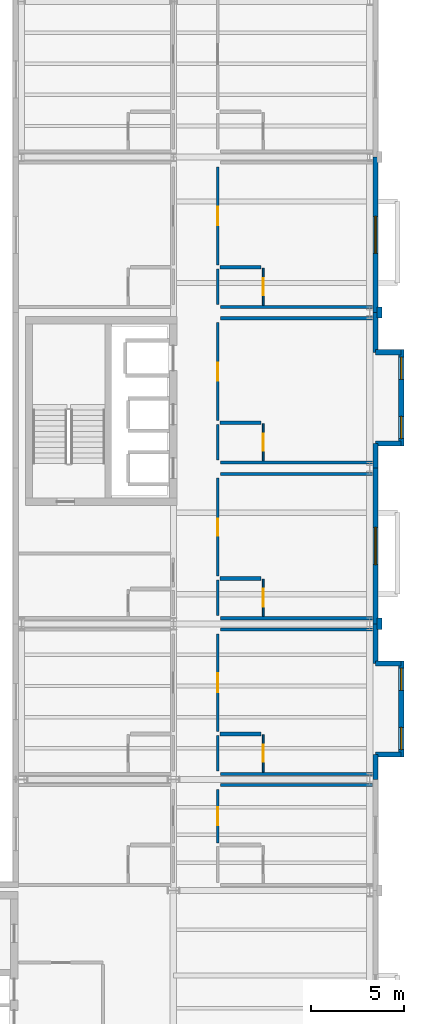
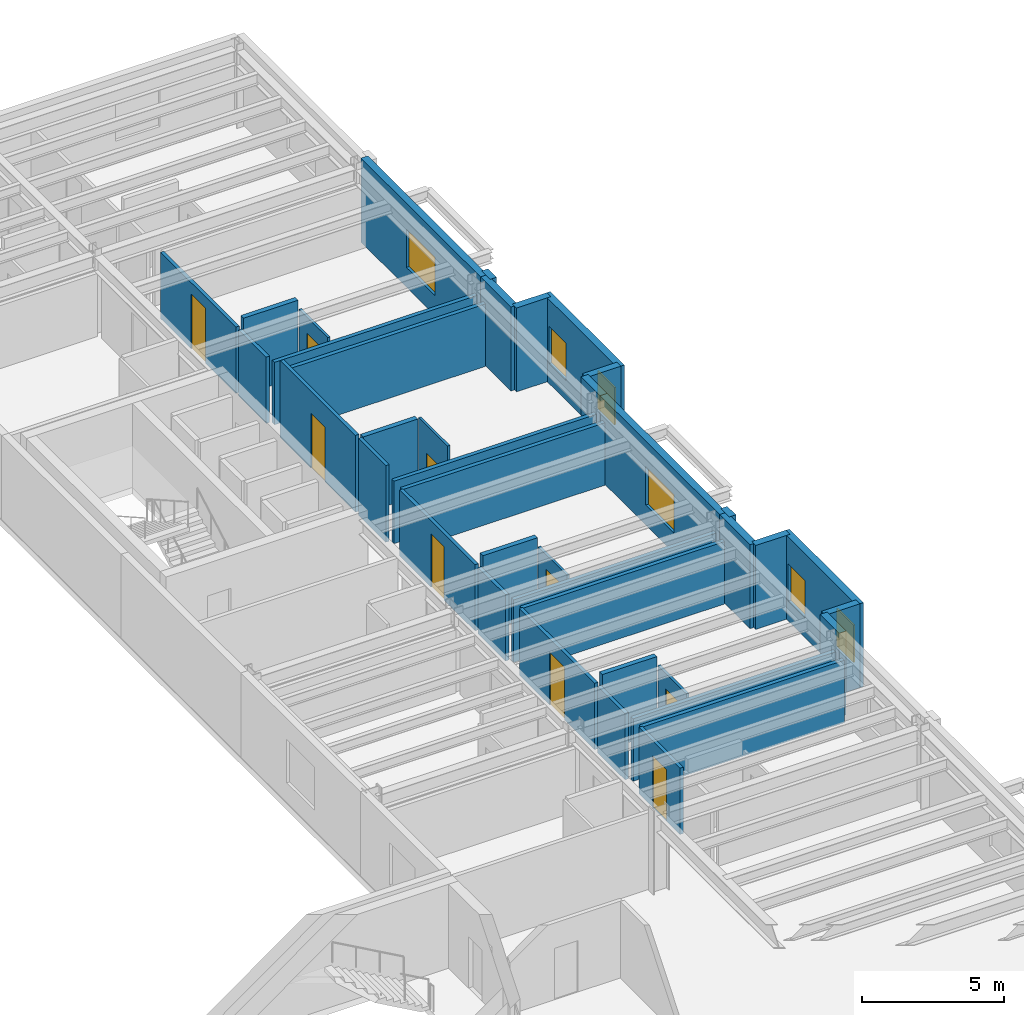
# One storey, part 21 of 27: 39 walls, 9 doors, 6 windows, 15 openings.
"""IFC4 building model written with IfcOpenShell, lengths in metres."""

from ifc_helpers import new_model, si_unit, direction, frame, frame_2d, origin, place, context, subcontext, project, spatial, rectangle, extrude, material, layer, layer_set, type_object, element, fill, save


model = new_model("IFC4")

# Units and contexts
model_context = context("Model", 3, precision=1e-05, world=origin(), true_north=direction((0.0, 1.0)))
body_context = subcontext(model_context, "Body", "Model", "MODEL_VIEW")
ifc_project = project(units=[si_unit("LENGTHUNIT", "METRE"), si_unit("AREAUNIT", "SQUARE_METRE"), si_unit("VOLUMEUNIT", "CUBIC_METRE"), si_unit("PLANEANGLEUNIT", "RADIAN"), si_unit("MASSUNIT", "GRAM", prefix="KILO")], contexts=[model_context])

# Site, building, storey
site_placement = place(None, origin())
site = spatial("IfcSite", under=ifc_project, at=site_placement, CompositionType="ELEMENT")
building_placement = place(site_placement, origin())
building = spatial("IfcBuilding", under=site, at=building_placement, Name="Sollismere Congress Hotel", CompositionType="ELEMENT")
storey_placement = place(building_placement, frame((0.0, 0.0, 27.0)))
storey = spatial("IfcBuildingStorey", under=building, at=storey_placement, Name="L06", CompositionType="ELEMENT", Elevation=27.0)

# Walls
ifc_material_1 = material(Name="Colorado Buff Sandstone Rainscreen on Insulated Backup", Category="masonry")
ifc_layer_1 = layer(ifc_material_1, 0.284912109375, Name="Colorado Buff Sandstone Rainscreen on Insulated Backup")
ifc_layer_set_1 = layer_set([ifc_layer_1], Name="Colorado Buff Sandstone Rainscreen on Insulated Backup")
wall_type_1 = type_object("IfcWallType", Name="WL-EXT285", PredefinedType="STANDARD", material=ifc_layer_set_1)
wall_1_placement = place(storey_placement, frame((166.31005859375, 24.800048828125, 0.0), z_axis=(0.0, 0.0, 1.0), x_axis=(0.0, 1.0, 0.0)))
element("IfcWall", 1, at=wall_1_placement, inside=storey, type_object=wall_type_1, Name="Exterior wall EW-L06-700", PredefinedType="STANDARD", context=body_context, shape_type="SweptSolid", body=[
    extrude(rectangle(XDim=1.33984375, YDim=0.284912109375, at=frame_2d((0.669921875, 0.0))), origin(), (0.0, 0.0, 1.0), 3.60009765625),
])
wall_2_placement = place(storey_placement, frame((166.31005859375, 31.06005859375, 0.0), z_axis=(0.0, 0.0, 1.0), x_axis=(0.0, 1.0, 0.0)))
element("IfcWall", 2, at=wall_2_placement, inside=storey, type_object=wall_type_1, Name="Exterior wall EW-L06-701", PredefinedType="STANDARD", context=body_context, shape_type="SweptSolid", body=[
    extrude(rectangle(XDim=2.139892578125, YDim=0.284912109375, at=frame_2d((1.06982421875, 0.0))), origin(), (0.0, 0.0, 1.0), 3.60009765625),
])

# Wall, openings, windows
wall_3_placement = place(storey_placement, frame((167.699951171875, 26.0, 0.0), z_axis=(0.0, 0.0, 1.0), x_axis=(0.0, 1.0, 0.0)))
wall_3 = element("IfcWall", 3, at=wall_3_placement, inside=storey, type_object=wall_type_1, Name="Exterior wall EW-L06-702", PredefinedType="STANDARD", context=body_context, shape_type="SweptSolid", body=[
    extrude(rectangle(XDim=5.199951171875, YDim=0.284912109375, at=frame_2d((2.60009765625, 0.0))), origin(), (0.0, 0.0, 1.0), 3.60009765625),
])
opening_1_placement = place(wall_3_placement, frame((0.39990234375, 0.0, 0.85009765625)))
opening_1 = element("IfcOpeningElement", 4, at=opening_1_placement, cuts=wall_3, Name="Opening W-L06-514", PredefinedType="OPENING", context=body_context, shape_type="SweptSolid", body=[
    extrude(rectangle(XDim=1.199951171875, YDim=1.60009765625, at=frame_2d((0.60009765625, 0.800048828125))), frame((0.0, 0.15234375, 0.0), z_axis=(0.0, -1.0, 0.0), x_axis=(1.0, 0.0, 0.0)), (0.0, 0.0, 1.0), 0.304931640625),
])
opening_2_placement = place(wall_3_placement, frame((3.60009765625, 0.0, 0.85009765625)))
opening_2 = element("IfcOpeningElement", 5, at=opening_2_placement, cuts=wall_3, Name="Opening W-L06-515", PredefinedType="OPENING", context=body_context, shape_type="SweptSolid", body=[
    extrude(rectangle(XDim=1.199951171875, YDim=1.60009765625, at=frame_2d((0.60009765625, 0.800048828125))), frame((0.0, 0.15234375, 0.0), z_axis=(0.0, -1.0, 0.0), x_axis=(1.0, 0.0, 0.0)), (0.0, 0.0, 1.0), 0.304931640625),
])
ifc_material_2 = material(Name="Thermally Broken Bronze Aluminum & Low-E Glass", Category="aluminium")
window_type_1 = type_object("IfcWindowType", Name="WN-P120x160", PartitioningType="SINGLE_PANEL", PredefinedType="WINDOW", material=ifc_material_2)
window_1_placement = place(opening_1_placement, origin())
window_1 = element("IfcWindow", 6, at=window_1_placement, inside=storey, type_object=window_type_1, Name="WIN-W-L06-514", OverallHeight=1.60009765625, OverallWidth=1.199951171875, PartitioningType="SINGLE_PANEL", PredefinedType="WINDOW", context=body_context, shape_type="SweptSolid", body=[
    extrude(rectangle(XDim=1.199951171875, YDim=1.60009765625, at=frame_2d((0.60009765625, 0.800048828125))), frame((0.0, 0.030029296875, 0.0), z_axis=(0.0, -1.0, 0.0), x_axis=(1.0, 0.0, 0.0)), (0.0, 0.0, 1.0), 0.06005859375),
])
fill(opening_1, window_1)
window_2_placement = place(opening_2_placement, origin())
window_2 = element("IfcWindow", 7, at=window_2_placement, inside=storey, type_object=window_type_1, Name="WIN-W-L06-515", OverallHeight=1.60009765625, OverallWidth=1.199951171875, PartitioningType="SINGLE_PANEL", PredefinedType="WINDOW", context=body_context, shape_type="SweptSolid", body=[
    extrude(rectangle(XDim=1.199951171875, YDim=1.60009765625, at=frame_2d((0.60009765625, 0.800048828125))), frame((0.0, 0.030029296875, 0.0), z_axis=(0.0, -1.0, 0.0), x_axis=(1.0, 0.0, 0.0)), (0.0, 0.0, 1.0), 0.06005859375),
])
fill(opening_2, window_2)

# Walls
for number, where, z_axis, x_axis, name in (
    (8, (166.31005859375, 26.139892578125, 0.0), (0.0, 0.0, 1.0), (1.0, 0.0, 0.0), "Exterior wall EW-L06-703"),
    (9, (167.699951171875, 31.06005859375, 0.0), (0.0, 0.0, 1.0), (-1.0, 0.0, 0.0), "Exterior wall EW-L06-704"),
):
    element("IfcWall", number, at=place(storey_placement, frame(where, z_axis=z_axis, x_axis=x_axis)), inside=storey, type_object=wall_type_1, Name=name, PredefinedType="STANDARD", context=body_context, shape_type="SweptSolid", body=[
        extrude(rectangle(XDim=1.389892578125, YDim=0.284912109375, at=frame_2d((0.69482421875, 0.0))), origin(), (0.0, 0.0, 1.0), 3.60009765625),
    ])

# Wall, opening, window
wall_4_placement = place(storey_placement, frame((166.31005859375, 33.199951171875, 0.0), z_axis=(0.0, 0.0, 1.0), x_axis=(0.0, 1.0, 0.0)))
wall_4 = element("IfcWall", 10, at=wall_4_placement, inside=storey, type_object=wall_type_1, Name="Exterior wall EW-L06-705", PredefinedType="STANDARD", context=body_context, shape_type="SweptSolid", body=[
    extrude(rectangle(XDim=8.400146484375, YDim=0.284912109375, at=frame_2d((4.2001953125, 0.0))), origin(), (0.0, 0.0, 1.0), 3.60009765625),
])
opening_3_placement = place(wall_4_placement, frame((3.199951171875, 0.0, 0.85009765625)))
opening_3 = element("IfcOpeningElement", 11, at=opening_3_placement, cuts=wall_4, Name="Opening W-L06-516", PredefinedType="OPENING", context=body_context, shape_type="SweptSolid", body=[
    extrude(rectangle(XDim=2.0, YDim=1.64990234375, at=frame_2d((1.0, 0.824951171875))), frame((0.0, 0.15234375, 0.0), z_axis=(0.0, -1.0, 0.0), x_axis=(1.0, 0.0, 0.0)), (0.0, 0.0, 1.0), 0.304931640625),
])
window_type_2 = type_object("IfcWindowType", Name="WN-P200x165", PartitioningType="SINGLE_PANEL", PredefinedType="WINDOW", material=ifc_material_2)
window_3_placement = place(opening_3_placement, origin())
window_3 = element("IfcWindow", 12, at=window_3_placement, inside=storey, type_object=window_type_2, Name="WIN-W-L06-516", OverallHeight=1.64990234375, OverallWidth=2.0, PartitioningType="SINGLE_PANEL", PredefinedType="WINDOW", context=body_context, shape_type="SweptSolid", body=[
    extrude(rectangle(XDim=2.0, YDim=1.64990234375, at=frame_2d((1.0, 0.824951171875))), frame((0.0, 0.030029296875, 0.0), z_axis=(0.0, -1.0, 0.0), x_axis=(1.0, 0.0, 0.0)), (0.0, 0.0, 1.0), 0.06005859375),
])
fill(opening_3, window_3)

# Walls
wall_5_placement = place(storey_placement, frame((166.31005859375, 41.60009765625, 0.0), z_axis=(0.0, 0.0, 1.0), x_axis=(0.0, 1.0, 0.0)))
element("IfcWall", 13, at=wall_5_placement, inside=storey, type_object=wall_type_1, Name="Exterior wall EW-L06-707", PredefinedType="STANDARD", context=body_context, shape_type="SweptSolid", body=[
    extrude(rectangle(XDim=1.33984375, YDim=0.284912109375, at=frame_2d((0.669921875, 0.0))), origin(), (0.0, 0.0, 1.0), 3.60009765625),
])
wall_6_placement = place(storey_placement, frame((166.31005859375, 47.860107421875, 0.0), z_axis=(0.0, 0.0, 1.0), x_axis=(0.0, 1.0, 0.0)))
element("IfcWall", 14, at=wall_6_placement, inside=storey, type_object=wall_type_1, Name="Exterior wall EW-L06-708", PredefinedType="STANDARD", context=body_context, shape_type="SweptSolid", body=[
    extrude(rectangle(XDim=2.139892578125, YDim=0.284912109375, at=frame_2d((1.06982421875, 0.0))), origin(), (0.0, 0.0, 1.0), 3.60009765625),
])

# Wall, openings, windows
wall_7_placement = place(storey_placement, frame((167.699951171875, 42.800048828125, 0.0), z_axis=(0.0, 0.0, 1.0), x_axis=(0.0, 1.0, 0.0)))
wall_7 = element("IfcWall", 15, at=wall_7_placement, inside=storey, type_object=wall_type_1, Name="Exterior wall EW-L06-709", PredefinedType="STANDARD", context=body_context, shape_type="SweptSolid", body=[
    extrude(rectangle(XDim=5.199951171875, YDim=0.284912109375, at=frame_2d((2.60009765625, 0.0))), origin(), (0.0, 0.0, 1.0), 3.60009765625),
])
opening_4_placement = place(wall_7_placement, frame((0.39990234375, 0.0, 0.85009765625)))
opening_4 = element("IfcOpeningElement", 16, at=opening_4_placement, cuts=wall_7, Name="Opening W-L06-517", PredefinedType="OPENING", context=body_context, shape_type="SweptSolid", body=[
    extrude(rectangle(XDim=1.199951171875, YDim=1.60009765625, at=frame_2d((0.60009765625, 0.800048828125))), frame((0.0, 0.15234375, 0.0), z_axis=(0.0, -1.0, 0.0), x_axis=(1.0, 0.0, 0.0)), (0.0, 0.0, 1.0), 0.304931640625),
])
opening_5_placement = place(wall_7_placement, frame((3.60009765625, 0.0, 0.85009765625)))
opening_5 = element("IfcOpeningElement", 17, at=opening_5_placement, cuts=wall_7, Name="Opening W-L06-518", PredefinedType="OPENING", context=body_context, shape_type="SweptSolid", body=[
    extrude(rectangle(XDim=1.199951171875, YDim=1.60009765625, at=frame_2d((0.60009765625, 0.800048828125))), frame((0.0, 0.15234375, 0.0), z_axis=(0.0, -1.0, 0.0), x_axis=(1.0, 0.0, 0.0)), (0.0, 0.0, 1.0), 0.304931640625),
])
window_4_placement = place(opening_4_placement, origin())
window_4 = element("IfcWindow", 18, at=window_4_placement, inside=storey, type_object=window_type_1, Name="WIN-W-L06-517", OverallHeight=1.60009765625, OverallWidth=1.199951171875, PartitioningType="SINGLE_PANEL", PredefinedType="WINDOW", context=body_context, shape_type="SweptSolid", body=[
    extrude(rectangle(XDim=1.199951171875, YDim=1.60009765625, at=frame_2d((0.60009765625, 0.800048828125))), frame((0.0, 0.030029296875, 0.0), z_axis=(0.0, -1.0, 0.0), x_axis=(1.0, 0.0, 0.0)), (0.0, 0.0, 1.0), 0.06005859375),
])
fill(opening_4, window_4)
window_5_placement = place(opening_5_placement, origin())
window_5 = element("IfcWindow", 19, at=window_5_placement, inside=storey, type_object=window_type_1, Name="WIN-W-L06-518", OverallHeight=1.60009765625, OverallWidth=1.199951171875, PartitioningType="SINGLE_PANEL", PredefinedType="WINDOW", context=body_context, shape_type="SweptSolid", body=[
    extrude(rectangle(XDim=1.199951171875, YDim=1.60009765625, at=frame_2d((0.60009765625, 0.800048828125))), frame((0.0, 0.030029296875, 0.0), z_axis=(0.0, -1.0, 0.0), x_axis=(1.0, 0.0, 0.0)), (0.0, 0.0, 1.0), 0.06005859375),
])
fill(opening_5, window_5)

# Walls
for number, where, z_axis, x_axis, name in (
    (20, (166.31005859375, 42.93994140625, 0.0), (0.0, 0.0, 1.0), (1.0, 0.0, 0.0), "Exterior wall EW-L06-710"),
    (21, (167.699951171875, 47.860107421875, 0.0), (0.0, 0.0, 1.0), (-1.0, 0.0, 0.0), "Exterior wall EW-L06-711"),
):
    element("IfcWall", number, at=place(storey_placement, frame(where, z_axis=z_axis, x_axis=x_axis)), inside=storey, type_object=wall_type_1, Name=name, PredefinedType="STANDARD", context=body_context, shape_type="SweptSolid", body=[
        extrude(rectangle(XDim=1.389892578125, YDim=0.284912109375, at=frame_2d((0.69482421875, 0.0))), origin(), (0.0, 0.0, 1.0), 3.60009765625),
    ])

# Wall, opening, window
wall_8_placement = place(storey_placement, frame((166.31005859375, 50.0, 0.0), z_axis=(0.0, 0.0, 1.0), x_axis=(0.0, 1.0, 0.0)))
wall_8 = element("IfcWall", 22, at=wall_8_placement, inside=storey, type_object=wall_type_1, Name="Exterior wall EW-L06-712", PredefinedType="STANDARD", context=body_context, shape_type="SweptSolid", body=[
    extrude(rectangle(XDim=8.39990234375, YDim=0.284912109375, at=frame_2d((4.199951171875, 0.0))), origin(), (0.0, 0.0, 1.0), 3.60009765625),
])
opening_6_placement = place(wall_8_placement, frame((3.199951171875, 0.0, 0.85009765625)))
opening_6 = element("IfcOpeningElement", 23, at=opening_6_placement, cuts=wall_8, Name="Opening W-L06-519", PredefinedType="OPENING", context=body_context, shape_type="SweptSolid", body=[
    extrude(rectangle(XDim=2.0, YDim=1.64990234375, at=frame_2d((1.0, 0.824951171875))), frame((0.0, 0.15234375, 0.0), z_axis=(0.0, -1.0, 0.0), x_axis=(1.0, 0.0, 0.0)), (0.0, 0.0, 1.0), 0.304931640625),
])
window_6_placement = place(opening_6_placement, origin())
window_6 = element("IfcWindow", 24, at=window_6_placement, inside=storey, type_object=window_type_2, Name="WIN-W-L06-519", OverallHeight=1.64990234375, OverallWidth=2.0, PartitioningType="SINGLE_PANEL", PredefinedType="WINDOW", context=body_context, shape_type="SweptSolid", body=[
    extrude(rectangle(XDim=2.0, YDim=1.64990234375, at=frame_2d((1.0, 0.824951171875))), frame((0.0, 0.030029296875, 0.0), z_axis=(0.0, -1.0, 0.0), x_axis=(1.0, 0.0, 0.0)), (0.0, 0.0, 1.0), 0.06005859375),
])
fill(opening_6, window_6)

# Walls
ifc_material_3 = material(Name="Carved Travertine Pilaster & Frieze Assembly", Category="masonry")
ifc_layer_2 = layer(ifc_material_3, 0.260009765625, Name="Carved Travertine Pilaster & Frieze Assembly")
ifc_layer_set_2 = layer_set([ifc_layer_2], Name="Carved Travertine Pilaster & Frieze Assembly")
wall_type_2 = type_object("IfcWallType", Name="WL-PIL280", PredefinedType="ELEMENTEDWALL", material=ifc_layer_set_2)
for number, where, z_axis, x_axis, name in (
    (25, (166.52001953125, 32.89990234375, 0.0), (0.0, 0.0, 1.0), (0.0, 1.0, 0.0), "Exterior wall EW-L06-706"),
    (26, (166.52001953125, 49.699951171875, 0.0), (0.0, 0.0, 1.0), (0.0, 1.0, 0.0), "Exterior wall EW-L06-713"),
):
    element("IfcWall", number, at=place(storey_placement, frame(where, z_axis=z_axis, x_axis=x_axis)), inside=storey, type_object=wall_type_2, Name=name, PredefinedType="ELEMENTEDWALL", context=body_context, shape_type="SweptSolid", body=[
        extrude(rectangle(XDim=0.60009765625, YDim=0.260009765625, at=frame_2d((0.300048828125, 0.0))), origin(), (0.0, 0.0, 1.0), 3.60009765625),
    ])
ifc_material_4 = material(Name="Moisture-Resistant Shaft Gypsum Assembly")
ifc_layer_3 = layer(ifc_material_4, 0.199951171875, Name="Moisture-Resistant Shaft Gypsum Assembly")
ifc_layer_set_3 = layer_set([ifc_layer_3], Name="Moisture-Resistant Shaft Gypsum Assembly")
wall_type_3 = type_object("IfcWallType", Name="WL-PLM200", PredefinedType="PLUMBINGWALL", material=ifc_layer_set_3)
for number, where, z_axis, x_axis, name in (
    (27, (157.919921875, 27.25, 0.0), (0.0, 0.0, 1.0), (1.0, 0.0, 0.0), "Interior wall IW-L06-2140"),
    (28, (157.919921875, 35.64990234375, 0.0), (0.0, 0.0, 1.0), (1.0, 0.0, 0.0), "Interior wall IW-L06-2152"),
    (29, (157.919921875, 44.050048828125, 0.0), (0.0, 0.0, 1.0), (1.0, 0.0, 0.0), "Interior wall IW-L06-2164"),
    (30, (157.919921875, 52.449951171875, 0.0), (0.0, 0.0, 1.0), (1.0, 0.0, 0.0), "Interior wall IW-L06-2170"),
):
    element("IfcWall", number, at=place(storey_placement, frame(where, z_axis=z_axis, x_axis=x_axis)), inside=storey, type_object=wall_type_3, Name=name, PredefinedType="PLUMBINGWALL", context=body_context, shape_type="SweptSolid", body=[
        extrude(rectangle(XDim=2.2099609375, YDim=0.199951171875, at=frame_2d((1.10498046875, 0.0))), origin(), (0.0, 0.0, 1.0), 3.2900390625),
    ])

# Wall, opening, door
ifc_material_5 = material(Name="Moisture-Resistant Gypsum Partition")
ifc_layer_4 = layer(ifc_material_5, 0.10009765625, Name="Moisture-Resistant Gypsum Partition")
ifc_layer_set_4 = layer_set([ifc_layer_4], Name="Moisture-Resistant Gypsum Partition")
wall_type_4 = type_object("IfcWallType", Name="WL-PRT100", PredefinedType="PARTITIONING", material=ifc_layer_set_4)
wall_9_placement = place(storey_placement, frame((160.25, 25.194580078125, 0.0), z_axis=(0.0, 0.0, 1.0), x_axis=(0.0, 1.0, 0.0)))
wall_9 = element("IfcWall", 31, at=wall_9_placement, inside=storey, type_object=wall_type_4, Name="Interior wall IW-L06-2141", PredefinedType="PARTITIONING", context=body_context, shape_type="SweptSolid", body=[
    extrude(rectangle(XDim=2.015380859375, YDim=0.10009765625, at=frame_2d((1.0078125, 0.0))), origin(), (0.0, 0.0, 1.0), 2.847900390625),
])
opening_7_placement = place(wall_9_placement, frame((0.554931640625, 0.0, 0.0)))
opening_7 = element("IfcOpeningElement", 32, at=opening_7_placement, cuts=wall_9, Name="Opening D-L06-0755", PredefinedType="OPENING", context=body_context, shape_type="SweptSolid", body=[
    extrude(rectangle(XDim=0.905029296875, YDim=2.179931640625, at=frame_2d((0.45263671875, 1.08984375))), frame((0.0, 0.06005859375, 0.0), z_axis=(0.0, -1.0, 0.0), x_axis=(1.0, 0.0, 0.0)), (0.0, 0.0, 1.0), 0.1201171875),
])
ifc_material_6 = material(Name="Moisture-Sealed Timber Bathroom Door", Category="wood")
door_type_1 = type_object("IfcDoorType", Name="DR-BT06", OperationType="NOTDEFINED", PredefinedType="DOOR", material=ifc_material_6)
door_1_placement = place(opening_7_placement, origin())
door_1 = element("IfcDoor", 33, at=door_1_placement, inside=storey, type_object=door_type_1, Name="En-suite bathroom door D-L06-0755", OperationType="SINGLE_SWING_RIGHT", OverallHeight=2.179931640625, OverallWidth=0.905029296875, PredefinedType="DOOR", context=body_context, shape_type="SweptSolid", body=[
    extrude(rectangle(XDim=0.905029296875, YDim=2.179931640625, at=frame_2d((0.45263671875, 1.08984375))), frame((0.0, 0.02490234375, 0.0), z_axis=(0.0, -1.0, 0.0), x_axis=(1.0, 0.0, 0.0)), (0.0, 0.0, 1.0), 0.050048828125),
])
fill(opening_7, door_1)

wall_10_placement = place(storey_placement, frame((160.25, 33.594482421875, 0.0), z_axis=(0.0, 0.0, 1.0), x_axis=(0.0, 1.0, 0.0)))
wall_10 = element("IfcWall", 34, at=wall_10_placement, inside=storey, type_object=wall_type_4, Name="Interior wall IW-L06-2153", PredefinedType="PARTITIONING", context=body_context, shape_type="SweptSolid", body=[
    extrude(rectangle(XDim=2.015625, YDim=0.10009765625, at=frame_2d((1.0078125, 0.0))), origin(), (0.0, 0.0, 1.0), 2.843017578125),
])
opening_8_placement = place(wall_10_placement, frame((0.530029296875, 0.0, 0.0)))
opening_8 = element("IfcOpeningElement", 35, at=opening_8_placement, cuts=wall_10, Name="Opening D-L06-0759", PredefinedType="OPENING", context=body_context, shape_type="SweptSolid", body=[
    extrude(rectangle(XDim=0.955078125, YDim=2.219970703125, at=frame_2d((0.4775390625, 1.10986328125))), frame((0.0, 0.06005859375, 0.0), z_axis=(0.0, -1.0, 0.0), x_axis=(1.0, 0.0, 0.0)), (0.0, 0.0, 1.0), 0.1201171875),
])
door_type_2 = type_object("IfcDoorType", Name="DR-BT08", OperationType="NOTDEFINED", PredefinedType="DOOR", material=ifc_material_6)
door_2_placement = place(opening_8_placement, origin())
door_2 = element("IfcDoor", 36, at=door_2_placement, inside=storey, type_object=door_type_2, Name="En-suite bathroom door D-L06-0759", OperationType="SINGLE_SWING_RIGHT", OverallHeight=2.219970703125, OverallWidth=0.955078125, PredefinedType="DOOR", context=body_context, shape_type="SweptSolid", body=[
    extrude(rectangle(XDim=0.955078125, YDim=2.219970703125, at=frame_2d((0.4775390625, 1.10986328125))), frame((0.0, 0.02490234375, 0.0), z_axis=(0.0, -1.0, 0.0), x_axis=(1.0, 0.0, 0.0)), (0.0, 0.0, 1.0), 0.050048828125),
])
fill(opening_8, door_2)

wall_11_placement = place(storey_placement, frame((160.25, 41.994384765625, 0.0), z_axis=(0.0, 0.0, 1.0), x_axis=(0.0, 1.0, 0.0)))
wall_11 = element("IfcWall", 37, at=wall_11_placement, inside=storey, type_object=wall_type_4, Name="Interior wall IW-L06-2165", PredefinedType="PARTITIONING", context=body_context, shape_type="SweptSolid", body=[
    extrude(rectangle(XDim=2.015625, YDim=0.10009765625, at=frame_2d((1.0078125, 0.0))), origin(), (0.0, 0.0, 1.0), 3.2900390625),
])
opening_9_placement = place(wall_11_placement, frame((0.554931640625, 0.0, 0.0)))
opening_9 = element("IfcOpeningElement", 38, at=opening_9_placement, cuts=wall_11, Name="Opening D-L06-0763", PredefinedType="OPENING", context=body_context, shape_type="SweptSolid", body=[
    extrude(rectangle(XDim=0.905029296875, YDim=2.10009765625, at=frame_2d((0.45263671875, 1.050048828125))), frame((0.0, 0.06005859375, 0.0), z_axis=(0.0, -1.0, 0.0), x_axis=(1.0, 0.0, 0.0)), (0.0, 0.0, 1.0), 0.1201171875),
])
door_type_3 = type_object("IfcDoorType", Name="DR-BT02", OperationType="NOTDEFINED", PredefinedType="DOOR", material=ifc_material_6)
door_3_placement = place(opening_9_placement, origin())
door_3 = element("IfcDoor", 39, at=door_3_placement, inside=storey, type_object=door_type_3, Name="En-suite bathroom door D-L06-0763", OperationType="SINGLE_SWING_RIGHT", OverallHeight=2.10009765625, OverallWidth=0.905029296875, PredefinedType="DOOR", context=body_context, shape_type="SweptSolid", body=[
    extrude(rectangle(XDim=0.905029296875, YDim=2.10009765625, at=frame_2d((0.45263671875, 1.050048828125))), frame((0.0, 0.02490234375, 0.0), z_axis=(0.0, -1.0, 0.0), x_axis=(1.0, 0.0, 0.0)), (0.0, 0.0, 1.0), 0.050048828125),
])
fill(opening_9, door_3)

wall_12_placement = place(storey_placement, frame((160.25, 50.39453125, 0.0), z_axis=(0.0, 0.0, 1.0), x_axis=(0.0, 1.0, 0.0)))
wall_12 = element("IfcWall", 40, at=wall_12_placement, inside=storey, type_object=wall_type_4, Name="Interior wall IW-L06-2171", PredefinedType="PARTITIONING", context=body_context, shape_type="SweptSolid", body=[
    extrude(rectangle(XDim=2.015380859375, YDim=0.10009765625, at=frame_2d((1.0078125, 0.0))), origin(), (0.0, 0.0, 1.0), 2.843017578125),
])
opening_10_placement = place(wall_12_placement, frame((0.54296875, 0.0, 0.0)))
opening_10 = element("IfcOpeningElement", 41, at=opening_10_placement, cuts=wall_12, Name="Opening D-L06-0765", PredefinedType="OPENING", context=body_context, shape_type="SweptSolid", body=[
    extrude(rectangle(XDim=0.929931640625, YDim=2.139892578125, at=frame_2d((0.46484375, 1.06982421875))), frame((0.0, 0.06005859375, 0.0), z_axis=(0.0, -1.0, 0.0), x_axis=(1.0, 0.0, 0.0)), (0.0, 0.0, 1.0), 0.1201171875),
])
door_type_4 = type_object("IfcDoorType", Name="DR-BT03", OperationType="NOTDEFINED", PredefinedType="DOOR", material=ifc_material_6)
door_4_placement = place(opening_10_placement, origin())
door_4 = element("IfcDoor", 42, at=door_4_placement, inside=storey, type_object=door_type_4, Name="En-suite bathroom door D-L06-0765", OperationType="SINGLE_SWING_RIGHT", OverallHeight=2.139892578125, OverallWidth=0.929931640625, PredefinedType="DOOR", context=body_context, shape_type="SweptSolid", body=[
    extrude(rectangle(XDim=0.929931640625, YDim=2.139892578125, at=frame_2d((0.46484375, 1.06982421875))), frame((0.0, 0.02490234375, 0.0), z_axis=(0.0, -1.0, 0.0), x_axis=(1.0, 0.0, 0.0)), (0.0, 0.0, 1.0), 0.050048828125),
])
fill(opening_10, door_4)

ifc_material_7 = material(Name="Fire-Rated Gypsum Partition")
ifc_layer_5 = layer(ifc_material_7, 0.139892578125, Name="Fire-Rated Gypsum Partition")
ifc_layer_set_5 = layer_set([ifc_layer_5], Name="Fire-Rated Gypsum Partition")
wall_type_5 = type_object("IfcWallType", Name="WL-PRT140R", PredefinedType="PARTITIONING", material=ifc_layer_set_5)
wall_13_placement = place(storey_placement, frame((157.800048828125, 21.3701171875, 0.0), z_axis=(0.0, 0.0, 1.0), x_axis=(0.0, 1.0, 0.0)))
wall_13 = element("IfcWall", 43, at=wall_13_placement, inside=storey, type_object=wall_type_5, Name="Interior wall IW-L06-2125", PredefinedType="PARTITIONING", context=body_context, shape_type="SweptSolid", body=[
    extrude(rectangle(XDim=2.889892578125, YDim=0.139892578125, at=frame_2d((1.44482421875, 0.0))), origin(), (0.0, 0.0, 1.0), 2.847900390625),
])
opening_11_placement = place(wall_13_placement, frame((0.955078125, 0.0, 0.0)))
opening_11 = element("IfcOpeningElement", 44, at=opening_11_placement, cuts=wall_13, Name="Opening D-L06-0750", PredefinedType="OPENING", context=body_context, shape_type="SweptSolid", body=[
    extrude(rectangle(XDim=0.97998046875, YDim=2.199951171875, at=frame_2d((0.489990234375, 1.10009765625))), frame((0.0, 0.079833984375, 0.0), z_axis=(0.0, -1.0, 0.0), x_axis=(1.0, 0.0, 0.0)), (0.0, 0.0, 1.0), 0.159912109375),
])
ifc_material_8 = material(Name="Solid-Core Acoustic Walnut Guestroom Entry Door")
door_type_5 = type_object("IfcDoorType", Name="DR-KY03", OperationType="NOTDEFINED", PredefinedType="DOOR", material=ifc_material_8)
door_5_placement = place(opening_11_placement, origin())
door_5 = element("IfcDoor", 45, at=door_5_placement, inside=storey, type_object=door_type_5, Name="Hotel room entry door D-L06-0750", OperationType="SINGLE_SWING_LEFT", OverallHeight=2.199951171875, OverallWidth=0.97998046875, PredefinedType="DOOR", context=body_context, shape_type="SweptSolid", body=[
    extrude(rectangle(XDim=0.97998046875, YDim=2.199951171875, at=frame_2d((0.489990234375, 1.10009765625))), frame((0.0, 0.02490234375, 0.0), z_axis=(0.0, -1.0, 0.0), x_axis=(1.0, 0.0, 0.0)), (0.0, 0.0, 1.0), 0.050048828125),
])
fill(opening_11, door_5)

# Wall
wall_14_placement = place(storey_placement, frame((157.800048828125, 25.239990234375, 0.0), z_axis=(0.0, 0.0, 1.0), x_axis=(0.0, 1.0, 0.0)))
element("IfcWall", 46, at=wall_14_placement, inside=storey, type_object=wall_type_5, Name="Interior wall IW-L06-2136", PredefinedType="PARTITIONING", context=body_context, shape_type="SweptSolid", body=[
    extrude(rectangle(XDim=1.929931640625, YDim=0.139892578125, at=frame_2d((0.96484375, 0.0))), origin(), (0.0, 0.0, 1.0), 2.847900390625),
])

# Wall, opening, door
wall_15_placement = place(storey_placement, frame((157.800048828125, 27.3701171875, 0.0), z_axis=(0.0, 0.0, 1.0), x_axis=(0.0, 1.0, 0.0)))
wall_15 = element("IfcWall", 47, at=wall_15_placement, inside=storey, type_object=wall_type_5, Name="Interior wall IW-L06-2137", PredefinedType="PARTITIONING", context=body_context, shape_type="SweptSolid", body=[
    extrude(rectangle(XDim=5.289794921875, YDim=0.139892578125, at=frame_2d((2.64501953125, 0.0))), origin(), (0.0, 0.0, 1.0), 2.847900390625),
])
opening_12_placement = place(wall_15_placement, frame((2.125, 0.0, 0.0)))
opening_12 = element("IfcOpeningElement", 48, at=opening_12_placement, cuts=wall_15, Name="Opening D-L06-0754", PredefinedType="OPENING", context=body_context, shape_type="SweptSolid", body=[
    extrude(rectangle(XDim=1.0400390625, YDim=2.25, at=frame_2d((0.52001953125, 1.125))), frame((0.0, 0.079833984375, 0.0), z_axis=(0.0, -1.0, 0.0), x_axis=(1.0, 0.0, 0.0)), (0.0, 0.0, 1.0), 0.159912109375),
])
door_type_6 = type_object("IfcDoorType", Name="DR-KY05", OperationType="NOTDEFINED", PredefinedType="DOOR", material=ifc_material_8)
door_6_placement = place(opening_12_placement, origin())
door_6 = element("IfcDoor", 49, at=door_6_placement, inside=storey, type_object=door_type_6, Name="Hotel room entry door D-L06-0754", OperationType="SINGLE_SWING_LEFT", OverallHeight=2.25, OverallWidth=1.0400390625, PredefinedType="DOOR", context=body_context, shape_type="SweptSolid", body=[
    extrude(rectangle(XDim=1.0400390625, YDim=2.25, at=frame_2d((0.52001953125, 1.125))), frame((0.0, 0.02490234375, 0.0), z_axis=(0.0, -1.0, 0.0), x_axis=(1.0, 0.0, 0.0)), (0.0, 0.0, 1.0), 0.050048828125),
])
fill(opening_12, door_6)

# Wall
wall_16_placement = place(storey_placement, frame((157.800048828125, 33.639892578125, 0.0), z_axis=(0.0, 0.0, 1.0), x_axis=(0.0, 1.0, 0.0)))
element("IfcWall", 50, at=wall_16_placement, inside=storey, type_object=wall_type_5, Name="Interior wall IW-L06-2148", PredefinedType="PARTITIONING", context=body_context, shape_type="SweptSolid", body=[
    extrude(rectangle(XDim=1.93017578125, YDim=0.139892578125, at=frame_2d((0.965087890625, 0.0))), origin(), (0.0, 0.0, 1.0), 2.843017578125),
])

# Wall, opening, door
wall_17_placement = place(storey_placement, frame((157.800048828125, 35.77001953125, 0.0), z_axis=(0.0, 0.0, 1.0), x_axis=(0.0, 1.0, 0.0)))
wall_17 = element("IfcWall", 51, at=wall_17_placement, inside=storey, type_object=wall_type_5, Name="Interior wall IW-L06-2149", PredefinedType="PARTITIONING", context=body_context, shape_type="SweptSolid", body=[
    extrude(rectangle(XDim=5.2900390625, YDim=0.139892578125, at=frame_2d((2.64501953125, 0.0))), origin(), (0.0, 0.0, 1.0), 2.843017578125),
])
opening_13_placement = place(wall_17_placement, frame((2.18505859375, 0.0, 0.0)))
opening_13 = element("IfcOpeningElement", 52, at=opening_13_placement, cuts=wall_17, Name="Opening D-L06-0758", PredefinedType="OPENING", context=body_context, shape_type="SweptSolid", body=[
    extrude(rectangle(XDim=0.919921875, YDim=2.300048828125, at=frame_2d((0.4599609375, 1.14990234375))), frame((0.0, 0.079833984375, 0.0), z_axis=(0.0, -1.0, 0.0), x_axis=(1.0, 0.0, 0.0)), (0.0, 0.0, 1.0), 0.159912109375),
])
door_type_7 = type_object("IfcDoorType", Name="DR-KY07", OperationType="NOTDEFINED", PredefinedType="DOOR", material=ifc_material_8)
door_7_placement = place(opening_13_placement, origin())
door_7 = element("IfcDoor", 53, at=door_7_placement, inside=storey, type_object=door_type_7, Name="Hotel room entry door D-L06-0758", OperationType="SINGLE_SWING_LEFT", OverallHeight=2.300048828125, OverallWidth=0.919921875, PredefinedType="DOOR", context=body_context, shape_type="SweptSolid", body=[
    extrude(rectangle(XDim=0.919921875, YDim=2.300048828125, at=frame_2d((0.4599609375, 1.14990234375))), frame((0.0, 0.02490234375, 0.0), z_axis=(0.0, -1.0, 0.0), x_axis=(1.0, 0.0, 0.0)), (0.0, 0.0, 1.0), 0.050048828125),
])
fill(opening_13, door_7)

# Wall
wall_18_placement = place(storey_placement, frame((157.800048828125, 42.0400390625, 0.0), z_axis=(0.0, 0.0, 1.0), x_axis=(0.0, 1.0, 0.0)))
element("IfcWall", 54, at=wall_18_placement, inside=storey, type_object=wall_type_5, Name="Interior wall IW-L06-2160", PredefinedType="PARTITIONING", context=body_context, shape_type="SweptSolid", body=[
    extrude(rectangle(XDim=1.929931640625, YDim=0.139892578125, at=frame_2d((0.96484375, 0.0))), origin(), (0.0, 0.0, 1.0), 3.2900390625),
])

# Wall, opening, door
wall_19_placement = place(storey_placement, frame((157.800048828125, 44.169921875, 0.0), z_axis=(0.0, 0.0, 1.0), x_axis=(0.0, 1.0, 0.0)))
wall_19 = element("IfcWall", 55, at=wall_19_placement, inside=storey, type_object=wall_type_5, Name="Interior wall IW-L06-2161", PredefinedType="PARTITIONING", context=body_context, shape_type="SweptSolid", body=[
    extrude(rectangle(XDim=5.2900390625, YDim=0.139892578125, at=frame_2d((2.64501953125, 0.0))), origin(), (0.0, 0.0, 1.0), 3.2900390625),
])
opening_14_placement = place(wall_19_placement, frame((2.155029296875, 0.0, 0.0)))
opening_14 = element("IfcOpeningElement", 56, at=opening_14_placement, cuts=wall_19, Name="Opening D-L06-0762", PredefinedType="OPENING", context=body_context, shape_type="SweptSolid", body=[
    extrude(rectangle(XDim=0.97998046875, YDim=2.35009765625, at=frame_2d((0.489990234375, 1.175048828125))), frame((0.0, 0.079833984375, 0.0), z_axis=(0.0, -1.0, 0.0), x_axis=(1.0, 0.0, 0.0)), (0.0, 0.0, 1.0), 0.159912109375),
])
door_type_8 = type_object("IfcDoorType", Name="DR-KY09", OperationType="NOTDEFINED", PredefinedType="DOOR", material=ifc_material_8)
door_8_placement = place(opening_14_placement, origin())
door_8 = element("IfcDoor", 57, at=door_8_placement, inside=storey, type_object=door_type_8, Name="Hotel room entry door D-L06-0762", OperationType="SINGLE_SWING_LEFT", OverallHeight=2.35009765625, OverallWidth=0.97998046875, PredefinedType="DOOR", context=body_context, shape_type="SweptSolid", body=[
    extrude(rectangle(XDim=0.97998046875, YDim=2.35009765625, at=frame_2d((0.489990234375, 1.175048828125))), frame((0.0, 0.02490234375, 0.0), z_axis=(0.0, -1.0, 0.0), x_axis=(1.0, 0.0, 0.0)), (0.0, 0.0, 1.0), 0.050048828125),
])
fill(opening_14, door_8)

# Wall
wall_20_placement = place(storey_placement, frame((157.800048828125, 50.43994140625, 0.0), z_axis=(0.0, 0.0, 1.0), x_axis=(0.0, 1.0, 0.0)))
element("IfcWall", 58, at=wall_20_placement, inside=storey, type_object=wall_type_5, Name="Interior wall IW-L06-2166", PredefinedType="PARTITIONING", context=body_context, shape_type="SweptSolid", body=[
    extrude(rectangle(XDim=1.93017578125, YDim=0.139892578125, at=frame_2d((0.965087890625, 0.0))), origin(), (0.0, 0.0, 1.0), 2.843017578125),
])

# Wall, opening, door
wall_21_placement = place(storey_placement, frame((157.800048828125, 52.570068359375, 0.0), z_axis=(0.0, 0.0, 1.0), x_axis=(0.0, 1.0, 0.0)))
wall_21 = element("IfcWall", 59, at=wall_21_placement, inside=storey, type_object=wall_type_5, Name="Interior wall IW-L06-2167", PredefinedType="PARTITIONING", context=body_context, shape_type="SweptSolid", body=[
    extrude(rectangle(XDim=5.2900390625, YDim=0.139892578125, at=frame_2d((2.64501953125, 0.0))), origin(), (0.0, 0.0, 1.0), 2.843017578125),
])
opening_15_placement = place(wall_21_placement, frame((2.139892578125, 0.0, 0.0)))
opening_15 = element("IfcOpeningElement", 60, at=opening_15_placement, cuts=wall_21, Name="Opening D-L06-0764", PredefinedType="OPENING", context=body_context, shape_type="SweptSolid", body=[
    extrude(rectangle(XDim=1.010009765625, YDim=2.35009765625, at=frame_2d((0.5048828125, 1.175048828125))), frame((0.0, 0.079833984375, 0.0), z_axis=(0.0, -1.0, 0.0), x_axis=(1.0, 0.0, 0.0)), (0.0, 0.0, 1.0), 0.159912109375),
])
door_type_9 = type_object("IfcDoorType", Name="DR-KY10", OperationType="NOTDEFINED", PredefinedType="DOOR", material=ifc_material_8)
door_9_placement = place(opening_15_placement, origin())
door_9 = element("IfcDoor", 61, at=door_9_placement, inside=storey, type_object=door_type_9, Name="Hotel room entry door D-L06-0764", OperationType="SINGLE_SWING_LEFT", OverallHeight=2.35009765625, OverallWidth=1.010009765625, PredefinedType="DOOR", context=body_context, shape_type="SweptSolid", body=[
    extrude(rectangle(XDim=1.010009765625, YDim=2.35009765625, at=frame_2d((0.5048828125, 1.175048828125))), frame((0.0, 0.02490234375, 0.0), z_axis=(0.0, -1.0, 0.0), x_axis=(1.0, 0.0, 0.0)), (0.0, 0.0, 1.0), 0.050048828125),
])
fill(opening_15, door_9)

# Walls
ifc_material_9 = material(Name="Fire-Rated Acoustic Gypsum Partition")
ifc_layer_6 = layer(ifc_material_9, 0.1650390625, Name="Fire-Rated Acoustic Gypsum Partition")
ifc_layer_set_6 = layer_set([ifc_layer_6], Name="Fire-Rated Acoustic Gypsum Partition")
wall_type_6 = type_object("IfcWallType", Name="WL-PRT165R", PredefinedType="PARTITIONING", material=ifc_layer_set_6)
for number, where, z_axis, x_axis, name in (
    (62, (157.93994140625, 24.5, 0.0), (0.0, 0.0, 1.0), (1.0, 0.0, 0.0), "Interior wall IW-L06-2127"),
    (63, (157.93994140625, 25.10009765625, 0.0), (0.0, 0.0, 1.0), (1.0, 0.0, 0.0), "Interior wall IW-L06-2138"),
    (64, (157.93994140625, 32.89990234375, 0.0), (0.0, 0.0, 1.0), (1.0, 0.0, 0.0), "Interior wall IW-L06-2139"),
    (65, (157.93994140625, 33.5, 0.0), (0.0, 0.0, 1.0), (1.0, 0.0, 0.0), "Interior wall IW-L06-2150"),
    (66, (157.93994140625, 41.300048828125, 0.0), (0.0, 0.0, 1.0), (1.0, 0.0, 0.0), "Interior wall IW-L06-2151"),
    (67, (157.93994140625, 41.89990234375, 0.0), (0.0, 0.0, 1.0), (1.0, 0.0, 0.0), "Interior wall IW-L06-2162"),
    (68, (157.93994140625, 49.699951171875, 0.0), (0.0, 0.0, 1.0), (1.0, 0.0, 0.0), "Interior wall IW-L06-2163"),
    (69, (157.93994140625, 50.300048828125, 0.0), (0.0, 0.0, 1.0), (1.0, 0.0, 0.0), "Interior wall IW-L06-2168"),
):
    element("IfcWall", number, at=place(storey_placement, frame(where, z_axis=z_axis, x_axis=x_axis)), inside=storey, type_object=wall_type_6, Name=name, PredefinedType="PARTITIONING", context=body_context, shape_type="SweptSolid", body=[
        extrude(rectangle(XDim=8.212646484375, YDim=0.1650390625, at=frame_2d((4.1064453125, 0.0))), origin(), (0.0, 0.0, 1.0), 2.679931640625),
    ])

save(model, "model.ifc")
